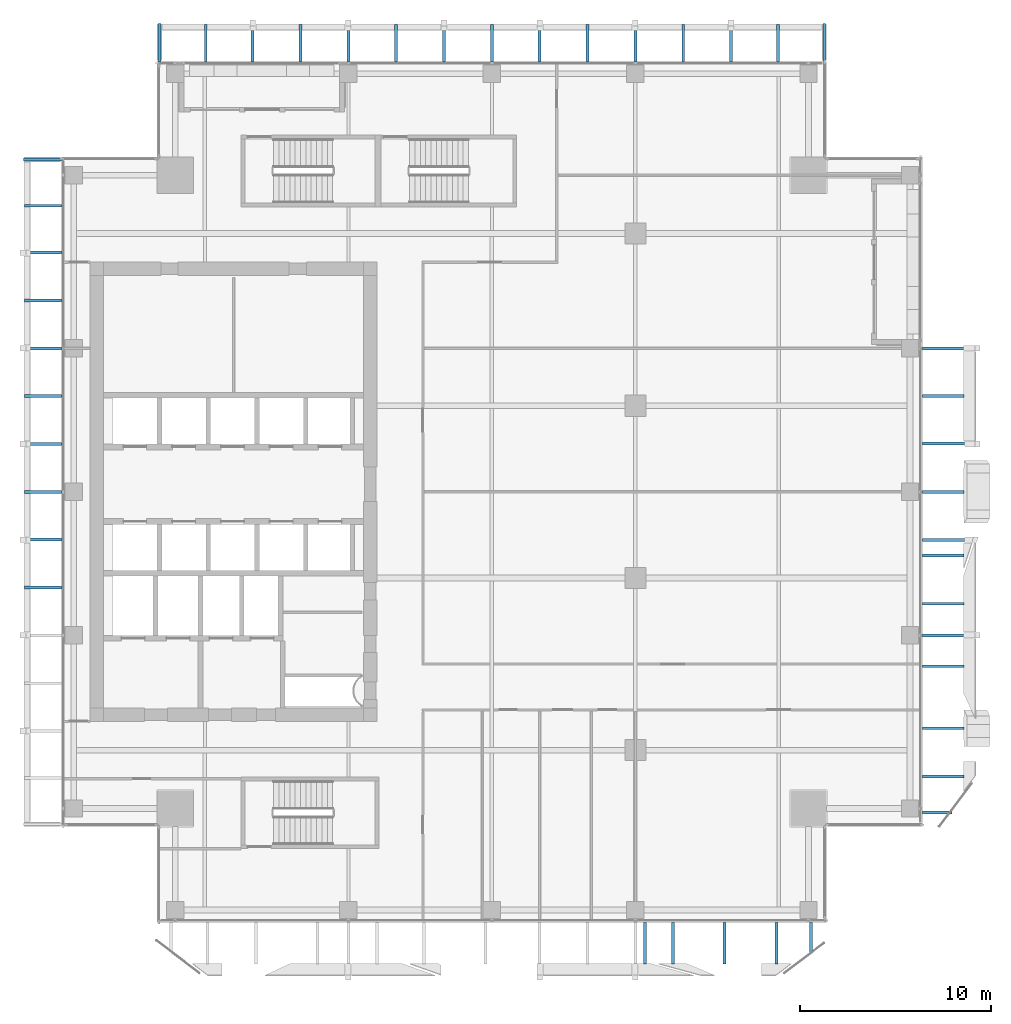
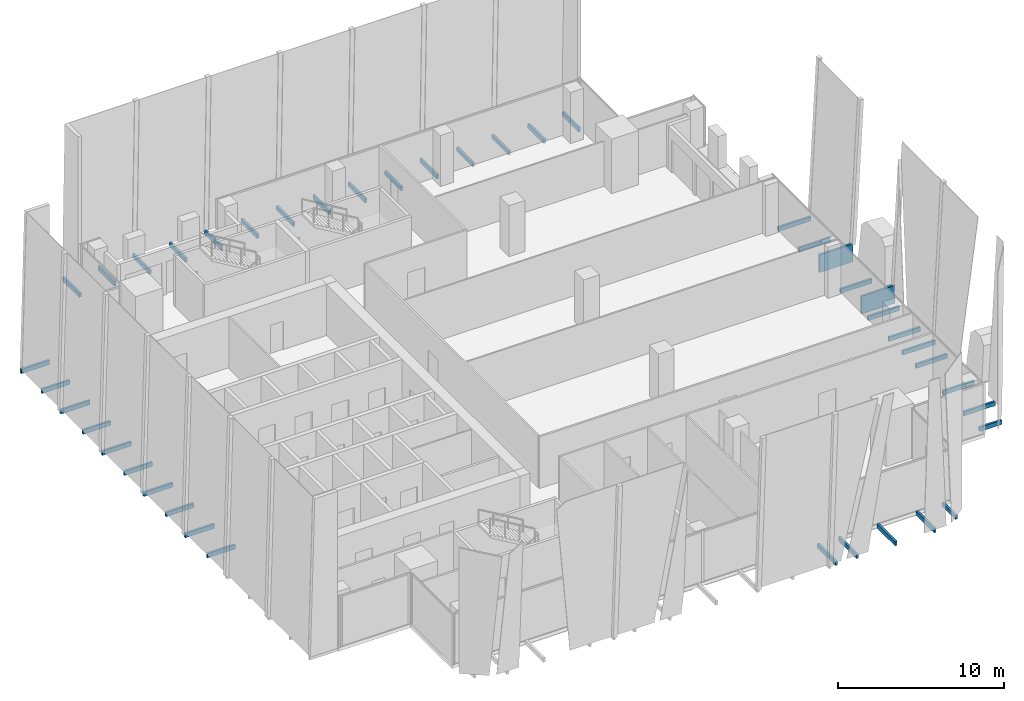
# One storey, part 31 of 35: 42 discrete accessories.
"""IFC4 building model written with IfcOpenShell, lengths in metres."""

from ifc_helpers import new_model, si_unit, direction, frame, origin, origin_2d, place, context, subcontext, project, spatial, rectangle, extrude, source, transform, mapped, material, type_object, element, save


model = new_model("IFC4")

# Units and contexts
model_context = context("Model", 3, precision=1e-05, world=origin(), true_north=direction((0.0, 1.0)))
body_context = subcontext(model_context, "Body", "Model", "MODEL_VIEW")
ifc_project = project(units=[si_unit("LENGTHUNIT", "METRE"), si_unit("AREAUNIT", "SQUARE_METRE"), si_unit("VOLUMEUNIT", "CUBIC_METRE"), si_unit("PLANEANGLEUNIT", "RADIAN"), si_unit("MASSUNIT", "GRAM", prefix="KILO")], contexts=[model_context])

# Site, building, storey
site_placement = place(None, origin())
site = spatial("IfcSite", under=ifc_project, at=site_placement, CompositionType="ELEMENT")
building_placement = place(site_placement, origin())
building = spatial("IfcBuilding", under=site, at=building_placement, Name="Khomas Fold Tower", CompositionType="ELEMENT")
storey_placement = place(building_placement, frame((0.0, 0.0, 246.199951171875)))
storey = spatial("IfcBuildingStorey", under=building, at=storey_placement, Name="L55", CompositionType="ELEMENT", Elevation=246.199951171875)

# Discrete accessories
ifc_material = material(Name="Stainless steel", Category="steel")
discrete_accessory_type = type_object("IfcDiscreteAccessoryType", Name="SK-Stainless steel stone bracket", PredefinedType="BRACKET", material=ifc_material)
shared_shape_1 = source(origin(), body_context, "Body", "SweptSolid", [
    extrude(rectangle(XDim=2.184326171875, YDim=0.14990234375, at=origin_2d()), origin(), (0.0, 0.0, 1.0), 0.31005859375),
])
for number, where, z_axis, x_axis, name in (
    (1, (39.15234375, 3.40771484375, -0.25), (0.0, 0.0, 1.0), (0.0, -1.0, 0.0), "Stone bracket L55 SS09-3-3"),
    (2, (50.59228515625, 14.642578125, -0.25), (0.0, 0.0, 1.0), (1.0, 0.0, 0.0), "Stone bracket L55 ES03-1-1"),
    (3, (50.59228515625, 26.994873046875, -0.25), (0.0, 0.0, 1.0), (1.0, 0.0, 0.0), "Stone bracket L55 ES06-2-1"),
    (4, (36.463134765625, 3.40771484375, -0.25), (0.0, 0.0, 1.0), (0.0, -1.0, 0.0), "Stone bracket L55 SG103-7-1"),
    (5, (34.99755859375, 3.40771484375, -0.25), (0.0, 0.0, 1.0), (0.0, -1.0, 0.0), "Stone bracket L55 SG103-11-1"),
    (6, (41.868896484375, 3.40771484375, -0.25), (0.0, 0.0, 1.0), (0.0, -1.0, 0.0), "Stone bracket L55 SG104-12-1"),
    (7, (50.59228515625, 12.131103515625, -0.25), (0.0, 0.0, 1.0), (1.0, 0.0, 0.0), "Stone bracket L55 EG098-1-1"),
    (8, (50.59228515625, 23.679931640625, -0.25), (0.0, 0.0, 1.0), (1.0, 0.0, 0.0), "Stone bracket L55 EG100-3-1"),
    (9, (50.59228515625, 17.88671875, -0.25), (0.0, 0.0, 1.0), (1.0, 0.0, 0.0), "Stone bracket L55 EG099-5-1"),
    (10, (50.59228515625, 21.153076171875, -0.25), (0.0, 0.0, 1.0), (1.0, 0.0, 0.0), "Stone bracket L55 EG100-7-1"),
    (11, (50.59228515625, 32.0, -0.25), (0.0, 0.0, 1.0), (1.0, 0.0, 0.0), "Stone bracket L55 EG102-9-1"),
):
    element("IfcDiscreteAccessory", number, at=place(storey_placement, frame(where, z_axis=z_axis, x_axis=x_axis)), inside=storey, type_object=discrete_accessory_type, Name=name, PredefinedType="BRACKET", context=body_context, shape_type="MappedRepresentation", body=[
        mapped(shared_shape_1, transform((0.0, 0.0, 0.0))),
    ])
shared_shape_2 = source(origin(), body_context, "Body", "SweptSolid", [
    extrude(rectangle(XDim=1.53662109375, YDim=0.14990234375, at=origin_2d()), origin(), (0.0, 0.0, 1.0), 0.31005859375),
])
discrete_accessory_1_placement = place(storey_placement, frame((50.268310546875, 10.23291015625, -0.25), z_axis=(0.0, 0.0, 1.0), x_axis=(1.0, 0.0, 0.0)))
element("IfcDiscreteAccessory", 12, at=discrete_accessory_1_placement, inside=storey, type_object=discrete_accessory_type, Name="Stone bracket L55 EG098-2-1", PredefinedType="BRACKET", context=body_context, shape_type="MappedRepresentation", body=[
    mapped(shared_shape_2, transform((0.0, 0.0, 0.0))),
])
shared_shape_3 = source(origin(), body_context, "Body", "SweptSolid", [
    extrude(rectangle(XDim=2.279296875, YDim=0.14990234375, at=origin_2d()), origin(), (0.0, 0.0, 1.0), 0.31005859375),
])
for number, where, z_axis, x_axis, name in (
    (13, (50.6396484375, 19.5, -0.25), (0.0, 0.0, 1.0), (1.0, 0.0, 0.0), "Stone bracket L55 EM100-6-1"),
    (14, (50.6396484375, 34.5, -0.25), (0.0, 0.0, 1.0), (1.0, 0.0, 0.0), "Stone bracket L55 EM103-10-1"),
):
    element("IfcDiscreteAccessory", number, at=place(storey_placement, frame(where, z_axis=z_axis, x_axis=x_axis)), inside=storey, type_object=discrete_accessory_type, Name=name, PredefinedType="BRACKET", context=body_context, shape_type="MappedRepresentation", body=[
        mapped(shared_shape_3, transform((0.0, 0.0, 0.0))),
    ])
shared_shape_4 = source(origin(), body_context, "Body", "SweptSolid", [
    extrude(rectangle(XDim=1.60107421875, YDim=0.14990234375, at=origin_2d()), origin(), (0.0, 0.0, 1.0), 0.31005859375),
])
discrete_accessory_2_placement = place(storey_placement, frame((43.68212890625, 3.699462890625, -0.25), z_axis=(0.0, 0.0, 1.0), x_axis=(0.0, -1.0, 0.0)))
element("IfcDiscreteAccessory", 15, at=discrete_accessory_2_placement, inside=storey, type_object=discrete_accessory_type, Name="Stone bracket L55 SG104-13-1", PredefinedType="BRACKET", context=body_context, shape_type="MappedRepresentation", body=[
    mapped(shared_shape_4, transform((0.0, 0.0, 0.0))),
])
shared_shape_5 = source(origin(), body_context, "Body", "SweptSolid", [
    extrude(rectangle(XDim=2.331787109375, YDim=0.14990234375, at=origin_2d()), origin(), (0.0, 0.0, 1.0), 1.31005859375),
])
for number, where, z_axis, x_axis, name in (
    (16, (50.665771484375, 24.48095703125, -0.25), (0.0, 0.0, 1.0), (1.0, 0.0, 0.0), "Stone bracket L55 EM101-4-1"),
    (17, (50.665771484375, 29.519775390625, -0.25), (0.0, 0.0, 1.0), (1.0, 0.0, 0.0), "Stone bracket L55 EM102-8-1"),
):
    element("IfcDiscreteAccessory", number, at=place(storey_placement, frame(where, z_axis=z_axis, x_axis=x_axis)), inside=storey, type_object=discrete_accessory_type, Name=name, PredefinedType="BRACKET", context=body_context, shape_type="MappedRepresentation", body=[
        mapped(shared_shape_5, transform((0.0, 0.0, 0.0))),
    ])
shared_shape_6 = source(origin(), body_context, "Body", "SweptSolid", [
    extrude(rectangle(XDim=1.93505859375, YDim=0.14990234375, at=origin_2d()), origin(), (0.0, 0.0, 1.0), 0.31005859375),
])
for number, where, z_axis, x_axis, name in (
    (18, (12.050048828125, 50.467529296875, -0.25), (0.0, 0.0, 1.0), (0.0, 1.0, 0.0), "Stone bracket L55 PLNG01"),
    (19, (17.0, 50.467529296875, -0.25), (0.0, 0.0, 1.0), (0.0, 1.0, 0.0), "Stone bracket L55 PLNG03"),
    (20, (22.0, 50.467529296875, -0.25), (0.0, 0.0, 1.0), (0.0, 1.0, 0.0), "Stone bracket L55 PLNG05"),
    (21, (27.0, 50.467529296875, -0.25), (0.0, 0.0, 1.0), (0.0, 1.0, 0.0), "Stone bracket L55 PLNG07"),
    (22, (32.0, 50.467529296875, -0.25), (0.0, 0.0, 1.0), (0.0, 1.0, 0.0), "Stone bracket L55 PLNG09"),
    (23, (37.0, 50.467529296875, -0.25), (0.0, 0.0, 1.0), (0.0, 1.0, 0.0), "Stone bracket L55 PLNG11"),
    (24, (41.949951171875, 50.467529296875, -0.25), (0.0, 0.0, 1.0), (0.0, 1.0, 0.0), "Stone bracket L55 PLNG13"),
    (25, (3.532470703125, 22.0, -0.25), (0.0, 0.0, 1.0), (-1.0, 0.0, 0.0), "Stone bracket L55 PLWG05"),
    (26, (3.532470703125, 27.0, -0.25), (0.0, 0.0, 1.0), (-1.0, 0.0, 0.0), "Stone bracket L55 PLWG07"),
    (27, (3.532470703125, 32.0, -0.25), (0.0, 0.0, 1.0), (-1.0, 0.0, 0.0), "Stone bracket L55 PLWG09"),
    (28, (3.532470703125, 37.0, -0.25), (0.0, 0.0, 1.0), (-1.0, 0.0, 0.0), "Stone bracket L55 PLWG11"),
    (29, (3.532470703125, 41.949951171875, -0.25), (0.0, 0.0, 1.0), (-1.0, 0.0, 0.0), "Stone bracket L55 PLWG13"),
):
    element("IfcDiscreteAccessory", number, at=place(storey_placement, frame(where, z_axis=z_axis, x_axis=x_axis)), inside=storey, type_object=discrete_accessory_type, Name=name, PredefinedType="BRACKET", context=body_context, shape_type="MappedRepresentation", body=[
        mapped(shared_shape_6, transform((0.0, 0.0, 0.0))),
    ])
shared_shape_7 = source(origin(), body_context, "Body", "SweptSolid", [
    extrude(rectangle(XDim=2.030029296875, YDim=0.14990234375, at=origin_2d()), origin(), (0.0, 0.0, 1.0), 0.31005859375),
])
for number, where, z_axis, x_axis, name in (
    (30, (14.5, 50.51513671875, -0.25), (0.0, 0.0, 1.0), (0.0, 1.0, 0.0), "Stone bracket L55 PLNM02"),
    (31, (19.5, 50.51513671875, -0.25), (0.0, 0.0, 1.0), (0.0, 1.0, 0.0), "Stone bracket L55 PLNM04"),
    (32, (24.5, 50.51513671875, -0.25), (0.0, 0.0, 1.0), (0.0, 1.0, 0.0), "Stone bracket L55 PLNM06"),
    (33, (29.5, 50.51513671875, -0.25), (0.0, 0.0, 1.0), (0.0, 1.0, 0.0), "Stone bracket L55 PLNM08"),
    (34, (34.5, 50.51513671875, -0.25), (0.0, 0.0, 1.0), (0.0, 1.0, 0.0), "Stone bracket L55 PLNM10"),
    (35, (39.5, 50.51513671875, -0.25), (0.0, 0.0, 1.0), (0.0, 1.0, 0.0), "Stone bracket L55 PLNM12"),
    (36, (3.48486328125, 24.5, -0.25), (0.0, 0.0, 1.0), (-1.0, 0.0, 0.0), "Stone bracket L55 PLWM06"),
    (37, (3.48486328125, 29.5, -0.25), (0.0, 0.0, 1.0), (-1.0, 0.0, 0.0), "Stone bracket L55 PLWM08"),
    (38, (3.48486328125, 34.5, -0.25), (0.0, 0.0, 1.0), (-1.0, 0.0, 0.0), "Stone bracket L55 PLWM10"),
    (39, (3.48486328125, 39.5, -0.25), (0.0, 0.0, 1.0), (-1.0, 0.0, 0.0), "Stone bracket L55 PLWM12"),
):
    element("IfcDiscreteAccessory", number, at=place(storey_placement, frame(where, z_axis=z_axis, x_axis=x_axis)), inside=storey, type_object=discrete_accessory_type, Name=name, PredefinedType="BRACKET", context=body_context, shape_type="MappedRepresentation", body=[
        mapped(shared_shape_7, transform((0.0, 0.0, 0.0))),
    ])
shared_shape_8 = source(origin(), body_context, "Body", "SweptSolid", [
    extrude(rectangle(XDim=1.97509765625, YDim=0.14990234375, at=origin_2d()), origin(), (0.0, 0.0, 1.0), 0.31005859375),
])
for number, where, z_axis, x_axis, name in (
    (40, (9.625, 50.487548828125, -0.25), (0.0, 0.0, 1.0), (0.0, 1.0, 0.0), "Stone bracket L55 PLNR1"),
    (41, (44.375, 50.487548828125, -0.25), (0.0, 0.0, 1.0), (0.0, 1.0, 0.0), "Stone bracket L55 PLNR2"),
    (42, (3.512451171875, 44.375, -0.25), (0.0, 0.0, 1.0), (-1.0, 0.0, 0.0), "Stone bracket L55 PLWR2"),
):
    element("IfcDiscreteAccessory", number, at=place(storey_placement, frame(where, z_axis=z_axis, x_axis=x_axis)), inside=storey, type_object=discrete_accessory_type, Name=name, PredefinedType="BRACKET", context=body_context, shape_type="MappedRepresentation", body=[
        mapped(shared_shape_8, transform((0.0, 0.0, 0.0))),
    ])

save(model, "model.ifc")
